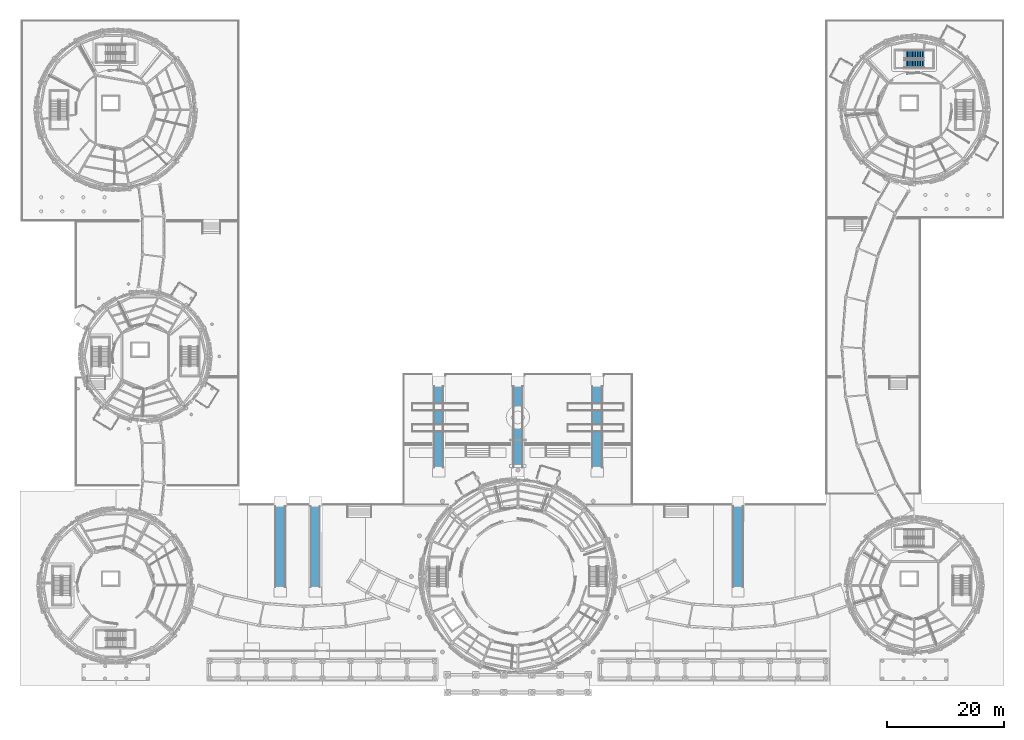
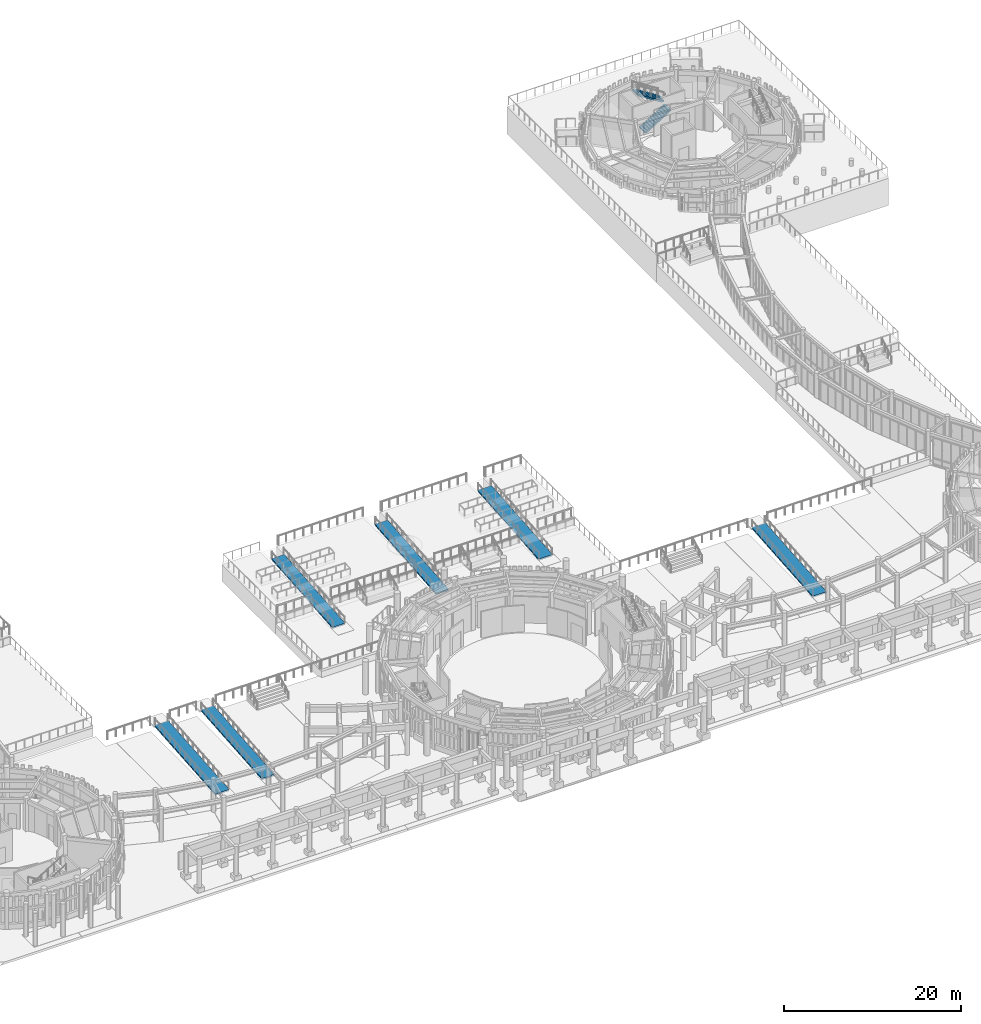
# One storey, part 58 of 94: 6 ramp flights, 2 stair flights, 7 elements without a shape of their own.
"""IFC4 building model written with IfcOpenShell, lengths in metres."""

from ifc_helpers import new_model, si_unit, direction, frame, origin, place, context, subcontext, project, spatial, polyline, outline, extrude, material, layer, layer_set, type_object, element, aggregate, save


model = new_model("IFC4")

# Units and contexts
model_context = context("Model", 3, precision=1e-05, world=origin(), true_north=direction((0.0, 1.0)))
body_context = subcontext(model_context, "Body", "Model", "MODEL_VIEW")
ifc_project = project(units=[si_unit("LENGTHUNIT", "METRE"), si_unit("AREAUNIT", "SQUARE_METRE"), si_unit("VOLUMEUNIT", "CUBIC_METRE"), si_unit("PLANEANGLEUNIT", "RADIAN"), si_unit("MASSUNIT", "GRAM", prefix="KILO")], contexts=[model_context])

# Site, building, storey
site_placement = place(None, origin())
site = spatial("IfcSite", under=ifc_project, at=site_placement, CompositionType="ELEMENT")
building_placement = place(site_placement, origin())
building = spatial("IfcBuilding", under=site, at=building_placement, Name="Aldenvaro Health Centre", CompositionType="ELEMENT")
storey_placement = place(building_placement, origin())
storey = spatial("IfcBuildingStorey", under=building, at=storey_placement, Name="L00", CompositionType="ELEMENT", Elevation=0.0)

# Stair, stair flights
ifc_material_1 = material(Name="Concrete f'c 40 MPa", Category="concrete")
stair_type = type_object("IfcStairType", Name="STR-DOG-455", PredefinedType="HALF_TURN_STAIR", material=ifc_material_1)
stair_placement = place(storey_placement, origin())
stair = element("IfcStair", 1, at=stair_placement, inside=storey, type_object=stair_type, Name="L00 Exit Stair ST-04", PredefinedType="HALF_TURN_STAIR")
stair_flight_type = type_object("IfcStairFlightType", Name="STRF-02", PredefinedType="STRAIGHT", material=ifc_material_1)
stair_flight_1_placement = place(storey_placement, frame((152.800048828125, 107.375, 0.0), z_axis=(0.0, 0.0, 1.0), x_axis=(1.0, 0.0, 0.0)))
stair_flight_1 = element("IfcStairFlight", 2, at=stair_flight_1_placement, type_object=stair_flight_type, Name="ST-04 flight 1", NumberOfRisers=13, NumberOfTreads=12, PredefinedType="STRAIGHT", RiserHeight=0.175, TreadLength=0.28, context=body_context, shape_type="SweptSolid", body=[
    extrude(outline(polyline([(0.0, 0.0), (0.0, 0.175048828125), (0.280029296875, 0.175048828125), (0.280029296875, 0.35009765625), (0.56005859375, 0.35009765625), (0.56005859375, 0.52490234375), (0.840087890625, 0.52490234375), (0.840087890625, 0.699951171875), (1.1201171875, 0.699951171875), (1.1201171875, 0.875), (1.39990234375, 0.875), (1.39990234375, 1.050048828125), (1.679931640625, 1.050048828125), (1.679931640625, 1.22509765625), (1.9599609375, 1.22509765625), (1.9599609375, 1.39990234375), (2.239990234375, 1.39990234375), (2.239990234375, 1.574951171875), (2.52001953125, 1.574951171875), (2.52001953125, 1.75), (2.800048828125, 1.75), (2.800048828125, 1.925048828125), (3.080078125, 1.925048828125), (3.080078125, 2.10009765625), (3.360107421875, 2.10009765625), (3.360107421875, 2.27490234375), (3.360107421875, 1.911376953125), (0.3017578125, 0.0), (0.0, 0.0)])), frame((0.0, 0.675048828125, 0.0), z_axis=(0.0, -1.0, 0.0), x_axis=(1.0, 0.0, 0.0)), (0.0, 0.0, 1.0), 1.35009765625),
])
stair_flight_2_placement = place(storey_placement, frame((156.159912109375, 108.925048828125, 2.27490234375), z_axis=(0.0, 0.0, 1.0), x_axis=(-1.0, 0.0, 0.0)))
stair_flight_2 = element("IfcStairFlight", 3, at=stair_flight_2_placement, type_object=stair_flight_type, Name="ST-04 flight 2", NumberOfRisers=13, NumberOfTreads=12, PredefinedType="STRAIGHT", RiserHeight=0.175, TreadLength=0.28, context=body_context, shape_type="SweptSolid", body=[
    extrude(outline(polyline([(0.0, 0.0), (0.0, 0.175048828125), (0.280029296875, 0.175048828125), (0.280029296875, 0.35009765625), (0.56005859375, 0.35009765625), (0.56005859375, 0.52490234375), (0.840087890625, 0.52490234375), (0.840087890625, 0.699951171875), (1.1201171875, 0.699951171875), (1.1201171875, 0.875), (1.39990234375, 0.875), (1.39990234375, 1.050048828125), (1.679931640625, 1.050048828125), (1.679931640625, 1.22509765625), (1.9599609375, 1.22509765625), (1.9599609375, 1.39990234375), (2.239990234375, 1.39990234375), (2.239990234375, 1.574951171875), (2.52001953125, 1.574951171875), (2.52001953125, 1.75), (2.800048828125, 1.75), (2.800048828125, 1.925048828125), (3.080078125, 1.925048828125), (3.080078125, 2.10009765625), (3.360107421875, 2.10009765625), (3.360107421875, 2.27490234375), (3.360107421875, 1.911376953125), (0.3017578125, 0.0), (0.0, 0.0)])), frame((0.0, 0.675048828125, 0.0), z_axis=(0.0, -1.0, 0.0), x_axis=(1.0, 0.0, 0.0)), (0.0, 0.0, 1.0), 1.35009765625),
])
aggregate(stair, [stair_flight_1, stair_flight_2])

# Ramp, ramp flight
ifc_material_2 = material(Name="Concrete f'c 35 MPa", Category="concrete")
ramp_type_1 = type_object("IfcRampType", Name="RMP-ACC-01", PredefinedType="STRAIGHT_RUN_RAMP", material=ifc_material_2)
ramp_1_placement = place(storey_placement, origin())
ramp_1 = element("IfcRamp", 4, at=ramp_1_placement, inside=storey, type_object=ramp_type_1, Name="Stepped Foothill Accessible Ramp 1", PredefinedType="STRAIGHT_RUN_RAMP")
ifc_layer_1 = layer(ifc_material_2, 0.199951171875, Name="Concrete f'c 35 MPa", Category="concrete")
ifc_layer_set_1 = layer_set([ifc_layer_1], Name="Concrete f'c 35 MPa")
ramp_flight_type_1 = type_object("IfcRampFlightType", Name="RMPF-ACC-01", PredefinedType="STRAIGHT", material=ifc_layer_set_1)
ramp_flight_1_placement = place(storey_placement, frame((46.5, 18.199951171875, 0.0), z_axis=(0.0, 0.0, 1.0), x_axis=(0.0, 1.0, 0.0)))
ramp_flight_1 = element("IfcRampFlight", 5, at=ramp_flight_1_placement, type_object=ramp_flight_type_1, Name="Stepped Foothill Accessible Ramp 1 Flight", PredefinedType="STRAIGHT", context=body_context, shape_type="SweptSolid", body=[
    extrude(outline(polyline([(0.0, 0.0), (13.800048828125, 1.14990234375), (13.800048828125, 0.949951171875), (0.0, -0.199951171875), (0.0, 0.0)])), frame((0.0, 0.89990234375, 0.0), z_axis=(0.0, -1.0, 0.0), x_axis=(1.0, 0.0, 0.0)), (0.0, 0.0, 1.0), 1.800048828125),
])
aggregate(ramp_1, [ramp_flight_1])

ramp_2_placement = place(storey_placement, origin())
ramp_2 = element("IfcRamp", 6, at=ramp_2_placement, inside=storey, type_object=ramp_type_1, Name="Stepped Foothill Accessible Ramp 3", PredefinedType="STRAIGHT_RUN_RAMP")
ramp_flight_2_placement = place(storey_placement, frame((124.5, 18.199951171875, 0.0), z_axis=(0.0, 0.0, 1.0), x_axis=(0.0, 1.0, 0.0)))
ramp_flight_2 = element("IfcRampFlight", 7, at=ramp_flight_2_placement, type_object=ramp_flight_type_1, Name="Stepped Foothill Accessible Ramp 3 Flight", PredefinedType="STRAIGHT", context=body_context, shape_type="SweptSolid", body=[
    extrude(outline(polyline([(0.0, 0.0), (13.800048828125, 1.14990234375), (13.800048828125, 0.949951171875), (0.0, -0.199951171875), (0.0, 0.0)])), frame((0.0, 0.89990234375, 0.0), z_axis=(0.0, -1.0, 0.0), x_axis=(1.0, 0.0, 0.0)), (0.0, 0.0, 1.0), 1.800048828125),
])
aggregate(ramp_2, [ramp_flight_2])

ramp_3_placement = place(storey_placement, origin())
ramp_3 = element("IfcRamp", 8, at=ramp_3_placement, inside=storey, type_object=ramp_type_1, Name="Stepped Foothill Accessible Ramp 5", PredefinedType="STRAIGHT_RUN_RAMP")
ramp_flight_3_placement = place(storey_placement, frame((100.5, 38.60009765625, 1.14990234375), z_axis=(0.0, 0.0, 1.0), x_axis=(0.0, 1.0, 0.0)))
ramp_flight_3 = element("IfcRampFlight", 9, at=ramp_flight_3_placement, type_object=ramp_flight_type_1, Name="Stepped Foothill Accessible Ramp 5 Flight", PredefinedType="STRAIGHT", context=body_context, shape_type="SweptSolid", body=[
    extrude(outline(polyline([(0.0, 0.0), (13.800048828125, 1.14990234375), (13.800048828125, 0.949951171875), (0.0, -0.199951171875), (0.0, 0.0)])), frame((0.0, 0.89990234375, 0.0), z_axis=(0.0, -1.0, 0.0), x_axis=(1.0, 0.0, 0.0)), (0.0, 0.0, 1.0), 1.800048828125),
])
aggregate(ramp_3, [ramp_flight_3])

ramp_type_2 = type_object("IfcRampType", Name="RMP-ACC-02", PredefinedType="STRAIGHT_RUN_RAMP", material=ifc_material_2)
ramp_4_placement = place(storey_placement, origin())
ramp_4 = element("IfcRamp", 10, at=ramp_4_placement, inside=storey, type_object=ramp_type_2, Name="Stepped Foothill Accessible Ramp 2", PredefinedType="STRAIGHT_RUN_RAMP")
ifc_layer_2 = layer(ifc_material_2, 0.199951171875, Name="Concrete f'c 35 MPa", Category="concrete")
ifc_layer_set_2 = layer_set([ifc_layer_2], Name="Concrete f'c 35 MPa")
ramp_flight_type_2 = type_object("IfcRampFlightType", Name="RMPF-ACC-02", PredefinedType="STRAIGHT", material=ifc_layer_set_2)
ramp_flight_4_placement = place(storey_placement, frame((52.5, 18.199951171875, 0.0), z_axis=(0.0, 0.0, 1.0), x_axis=(0.0, 1.0, 0.0)))
ramp_flight_4 = element("IfcRampFlight", 11, at=ramp_flight_4_placement, type_object=ramp_flight_type_2, Name="Stepped Foothill Accessible Ramp 2 Flight", PredefinedType="STRAIGHT", context=body_context, shape_type="SweptSolid", body=[
    extrude(outline(polyline([(0.0, 0.0), (13.800048828125, 1.14990234375), (13.800048828125, 0.949951171875), (0.0, -0.199951171875), (0.0, 0.0)])), frame((0.0, 0.824951171875, 0.0), z_axis=(0.0, -1.0, 0.0), x_axis=(1.0, 0.0, 0.0)), (0.0, 0.0, 1.0), 1.64990234375),
])
aggregate(ramp_4, [ramp_flight_4])

ramp_5_placement = place(storey_placement, origin())
ramp_5 = element("IfcRamp", 12, at=ramp_5_placement, inside=storey, type_object=ramp_type_2, Name="Stepped Foothill Accessible Ramp 4", PredefinedType="STRAIGHT_RUN_RAMP")
ramp_flight_5_placement = place(storey_placement, frame((73.5, 38.60009765625, 1.14990234375), z_axis=(0.0, 0.0, 1.0), x_axis=(0.0, 1.0, 0.0)))
ramp_flight_5 = element("IfcRampFlight", 13, at=ramp_flight_5_placement, type_object=ramp_flight_type_2, Name="Stepped Foothill Accessible Ramp 4 Flight", PredefinedType="STRAIGHT", context=body_context, shape_type="SweptSolid", body=[
    extrude(outline(polyline([(0.0, 0.0), (13.800048828125, 1.14990234375), (13.800048828125, 0.949951171875), (0.0, -0.199951171875), (0.0, 0.0)])), frame((0.0, 0.824951171875, 0.0), z_axis=(0.0, -1.0, 0.0), x_axis=(1.0, 0.0, 0.0)), (0.0, 0.0, 1.0), 1.64990234375),
])
aggregate(ramp_5, [ramp_flight_5])

ramp_6_placement = place(storey_placement, origin())
ramp_6 = element("IfcRamp", 14, at=ramp_6_placement, inside=storey, type_object=ramp_type_2, Name="Stepped Foothill Accessible Ramp 6", PredefinedType="STRAIGHT_RUN_RAMP")
ramp_flight_6_placement = place(storey_placement, frame((87.0, 38.60009765625, 1.14990234375), z_axis=(0.0, 0.0, 1.0), x_axis=(0.0, 1.0, 0.0)))
ramp_flight_6 = element("IfcRampFlight", 15, at=ramp_flight_6_placement, type_object=ramp_flight_type_2, Name="Stepped Foothill Accessible Ramp 6 Flight", PredefinedType="STRAIGHT", context=body_context, shape_type="SweptSolid", body=[
    extrude(outline(polyline([(0.0, 0.0), (13.800048828125, 1.14990234375), (13.800048828125, 0.949951171875), (0.0, -0.199951171875), (0.0, 0.0)])), frame((0.0, 0.824951171875, 0.0), z_axis=(0.0, -1.0, 0.0), x_axis=(1.0, 0.0, 0.0)), (0.0, 0.0, 1.0), 1.64990234375),
])
aggregate(ramp_6, [ramp_flight_6])

save(model, "model.ifc")
